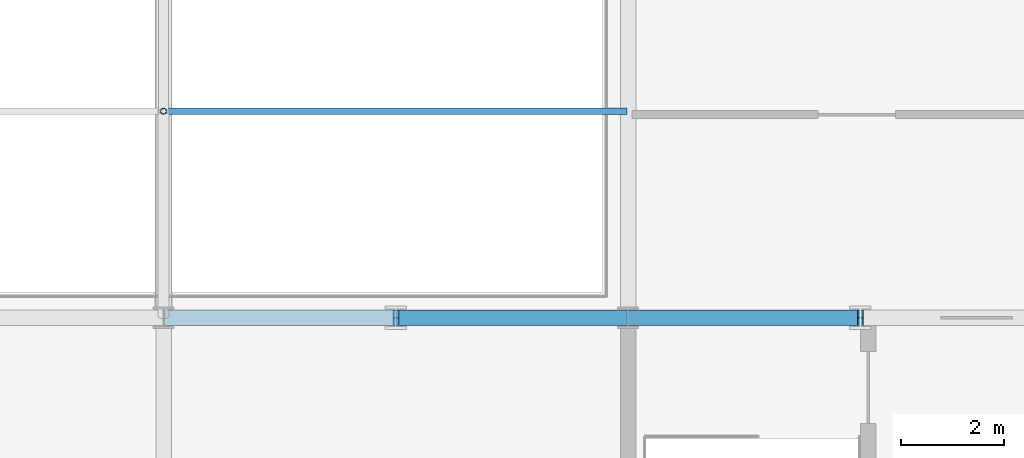
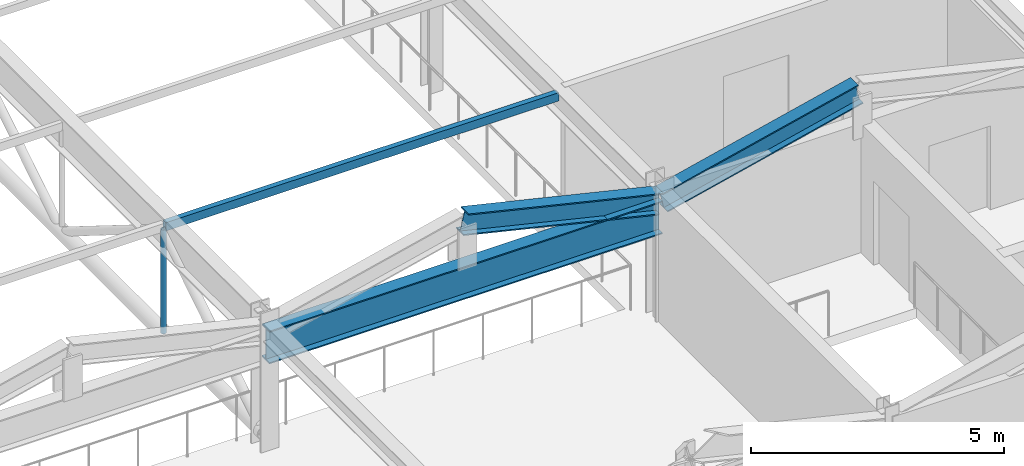
# One storey, part 28 of 91: 3 beams, 2 members.
"""IFC4 building model written with IfcOpenShell, lengths in metres."""

from ifc_helpers import new_model, si_unit, direction, frame, origin, origin_2d, place, context, subcontext, project, spatial, hollow_rectangle, hollow_circle, i_section, extrude, material, material_profile, profile_set, type_object, element, save


model = new_model("IFC4")

# Units and contexts
model_context = context("Model", 3, precision=1e-05, world=origin(), true_north=direction((0.0, 1.0)))
body_context = subcontext(model_context, "Body", "Model", "MODEL_VIEW")
ifc_project = project(units=[si_unit("LENGTHUNIT", "METRE"), si_unit("AREAUNIT", "SQUARE_METRE"), si_unit("VOLUMEUNIT", "CUBIC_METRE"), si_unit("PLANEANGLEUNIT", "RADIAN"), si_unit("MASSUNIT", "GRAM", prefix="KILO")], contexts=[model_context])

# Site, building, storey
site_placement = place(None, origin())
site = spatial("IfcSite", under=ifc_project, at=site_placement, CompositionType="ELEMENT")
building_placement = place(site_placement, origin())
building = spatial("IfcBuilding", under=site, at=building_placement, Name="Palais des Congres Ocreval", CompositionType="ELEMENT")
storey_placement = place(building_placement, frame((0.0, 0.0, 8.159912109375)))
storey = spatial("IfcBuildingStorey", under=building, at=storey_placement, Name="L02", CompositionType="ELEMENT", Elevation=8.159912109375)

# Beams
ifc_material = material(Name="Steel S355", Category="steel")
ifc_material_profile_1 = material_profile(ifc_material, i_section(OverallWidth=0.300048828125, OverallDepth=0.7900390625, WebThickness=0.014892578125, FlangeThickness=0.028076171875, at=origin_2d()), Name="HEA 800")
ifc_profile_set_1 = profile_set([ifc_material_profile_1], Name="Steel S355")
beam_type_1 = type_object("IfcBeamType", Name="Long-Span Girder HEA 800 Steel S355", PredefinedType="BEAM", material=ifc_profile_set_1)
beam_placement = place(storey_placement, frame((36.02001953125, 90.0, 2.43017578125), z_axis=(1.0, 0.0, 0.0), x_axis=(0.0, 1.0, 0.0)))
element("IfcBeam", 1, at=beam_placement, inside=storey, type_object=beam_type_1, Name="Beam B15 L02", PredefinedType="BEAM", context=body_context, shape_type="SweptSolid", body=[
    extrude(i_section(OverallWidth=0.300048828125, OverallDepth=0.7900390625, WebThickness=0.014892578125, FlangeThickness=0.028076171875, at=origin_2d()), origin(), (0.0, 0.0, 1.0), 8.9599609375),
])
ifc_material_profile_2 = material_profile(ifc_material, i_section(OverallWidth=0.300048828125, OverallDepth=0.5, WebThickness=0.014404296875, FlangeThickness=0.028076171875, at=origin_2d()), Name="HEB 500")
ifc_profile_set_2 = profile_set([ifc_material_profile_2], Name="Steel S355")
beam_type_2 = type_object("IfcBeamType", Name="ROOF TRUSS Rafter HEB 500 Steel S355", PredefinedType="BEAM", material=ifc_profile_set_2)
for number, where, z_axis, x_axis, name in (
    (2, (40.5, 90.0, 3.820068359375), (0.972896426025, 0.0, -0.231241311682), (0.0, 1.0, 0.0), "ROOF TRUSS Folded Rafter RFB1"),
    (3, (45.0400390625, 90.0, 2.760009765625), (0.972896426025, 0.0, 0.231241311682), (0.0, 1.0, 0.0), "ROOF TRUSS Folded Rafter RFB1"),
):
    element("IfcBeam", number, at=place(storey_placement, frame(where, z_axis=z_axis, x_axis=x_axis)), inside=storey, type_object=beam_type_2, Name=name, PredefinedType="BEAM", context=body_context, shape_type="SweptSolid", body=[
        extrude(i_section(OverallWidth=0.300048828125, OverallDepth=0.5, WebThickness=0.014404296875, FlangeThickness=0.028076171875, at=origin_2d()), origin(), (0.0, 0.0, 1.0), 4.584228515625),
    ])

# Members
ifc_material_profile_3 = material_profile(ifc_material, hollow_rectangle(XDim=0.1201171875, YDim=0.199951171875, WallThickness=0.010009765625, at=origin_2d()), Name="RHS 200x120x10")
ifc_profile_set_3 = profile_set([ifc_material_profile_3], Name="Steel S355")
member_type_1 = type_object("IfcMemberType", Name="Roof Purlin RHS 200x120x10 Steel S355", PredefinedType="PURLIN", material=ifc_profile_set_3)
member_1_placement = place(storey_placement, frame((36.02001953125, 94.0, 2.860107421875), z_axis=(1.0, 0.0, 0.0), x_axis=(0.0, 1.0, 0.0)))
element("IfcMember", 4, at=member_1_placement, inside=storey, type_object=member_type_1, Name="Roof Purlin PU01 V1", PredefinedType="PURLIN", context=body_context, shape_type="SweptSolid", body=[
    extrude(hollow_rectangle(XDim=0.1201171875, YDim=0.199951171875, WallThickness=0.010009765625, at=origin_2d()), origin(), (0.0, 0.0, 1.0), 8.9599609375),
])
ifc_material_profile_4 = material_profile(ifc_material, hollow_circle(Radius=0.05712890625, WallThickness=0.00634765625, at=origin_2d()), Name="CHS 114.3x6.3")
ifc_profile_set_4 = profile_set([ifc_material_profile_4], Name="Steel S355")
member_type_2 = type_object("IfcMemberType", Name="Truss Strut CHS 114.3x6.3 Steel S355", PredefinedType="STRUT", material=ifc_profile_set_4)
member_2_placement = place(storey_placement, frame((36.0, 94.0, 0.2900390625), z_axis=(0.0, 0.0, 1.0), x_axis=(1.0, 0.0, 0.0)))
element("IfcMember", 5, at=member_2_placement, inside=storey, type_object=member_type_2, Name="ROOF TRUSS Vertical Strut V1-36-1", PredefinedType="STRUT", context=body_context, shape_type="SweptSolid", body=[
    extrude(hollow_circle(Radius=0.05712890625, WallThickness=0.00634765625, at=origin_2d()), origin(), (0.0, 0.0, 1.0), 2.5),
])

save(model, "model.ifc")
